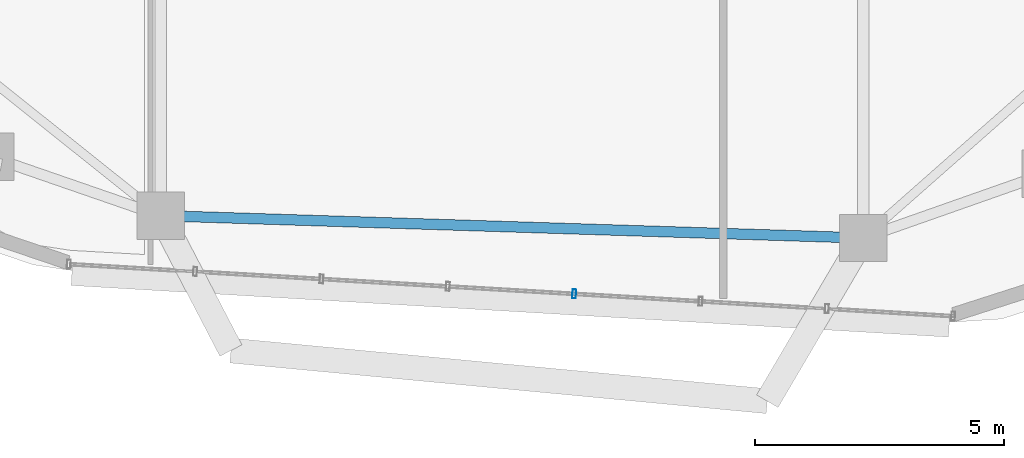
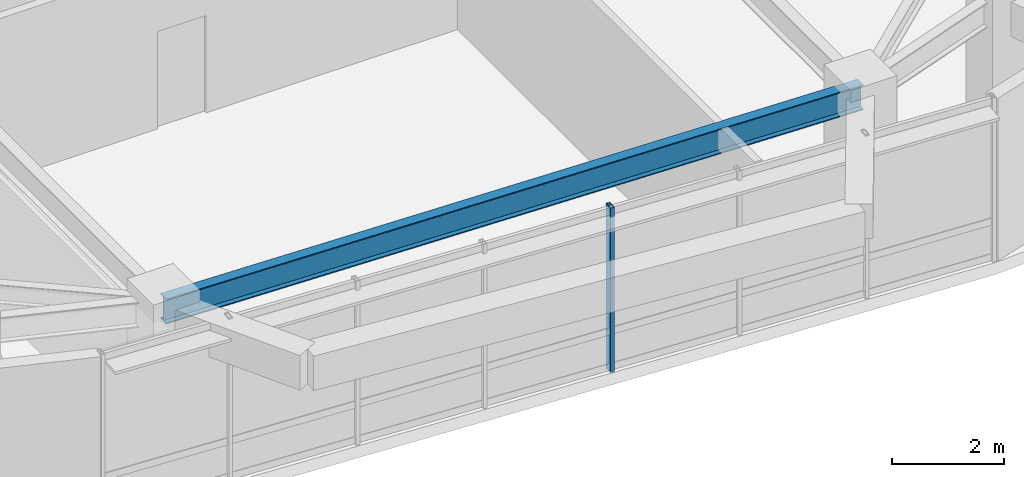
# One storey, part 4 of 14: 1 beam, 1 member, 1 element without a shape of its own.
"""IFC4 building model written with IfcOpenShell, lengths in metres."""

import ifcopenshell
import ifcopenshell.guid

model = None  # the IFC model being written
_history = None  # IfcOwnerHistory: only IFC2X3 demands one
_inside = {}  # id of a spatial element -> (the spatial element, [elements in it])
_under = {}  # id of a project, library or spatial element -> (it, [spatial elements below it])
_declared = {}  # id of a project -> (the project, [libraries it declares])
_typed = {}  # id of a type object -> (the type object, [elements of that type])
_made_of = {}  # id of a material, layer set ... -> (it, [elements and type objects made of it])


def new_model(schema):
    """Start an empty IFC model of exactly this schema.

    Asked for "IFC4X3", IfcOpenShell would pick the latest addendum, in which some entities
    have other attributes; the version numbers below select the first issue.
    IFC2X3 requires an IfcOwnerHistory on every rooted entity: one is made here for all.
    """
    global model, _history
    if schema == "IFC4X3":
        model = ifcopenshell.file(schema_version=(4, 3, 0, 0))
    else:
        model = ifcopenshell.file(schema=schema)
    _inside.clear()
    _under.clear()
    _declared.clear()
    _typed.clear()
    _made_of.clear()
    _history = None
    if model.schema == "IFC2X3":
        org = make("IfcOrganization", Name="unknown")
        user = make(
            "IfcPersonAndOrganization",
            ThePerson=make("IfcPerson", FamilyName="unknown"),
            TheOrganization=org,
        )
        app = make(
            "IfcApplication",
            ApplicationDeveloper=org,
            Version="unknown",
            ApplicationFullName="unknown",
            ApplicationIdentifier="unknown",
        )
        _history = make(
            "IfcOwnerHistory",
            OwningUser=user,
            OwningApplication=app,
            ChangeAction="ADDED",
            CreationDate=0,
        )
    return model


def make(cls, **values):
    """One entity of the class cls with the attributes given. An attribute that is None is left unset."""
    return model.create_entity(
        cls, **{name: value for name, value in values.items() if value is not None}
    )


def rooted(cls, **values):
    """An entity with a GlobalId (a new one), such as an element, a storey or a relation."""
    return make(cls, GlobalId=ifcopenshell.guid.new(), OwnerHistory=_history, **values)


def si_unit(unit_type, name, prefix=None):
    """IfcSIUnit, for example si_unit("LENGTHUNIT", "METRE", prefix="MILLI")."""
    return make("IfcSIUnit", UnitType=unit_type, Prefix=prefix, Name=name)


def assignment(units):
    """IfcUnitAssignment: the units of a project."""
    return None if units is None else make("IfcUnitAssignment", Units=units)


def point(xyz):
    """IfcCartesianPoint."""
    return None if xyz is None else make("IfcCartesianPoint", Coordinates=xyz)


def direction(xyz):
    """IfcDirection."""
    return None if xyz is None else make("IfcDirection", DirectionRatios=xyz)


def frame(location, z_axis=None, x_axis=None):
    """IfcAxis2Placement3D, a coordinate frame: its origin and axes. An axis left out is left unset."""
    return make(
        "IfcAxis2Placement3D",
        Location=point(location),
        Axis=direction(z_axis),
        RefDirection=direction(x_axis),
    )


def frame_2d(location, x_axis=None):
    """IfcAxis2Placement2D, a coordinate frame in the plane: its origin and x axis."""
    return make(
        "IfcAxis2Placement2D", Location=point(location), RefDirection=direction(x_axis)
    )


def origin():
    """The frame at (0, 0, 0) with its axes left unset."""
    return frame((0.0, 0.0, 0.0))


def origin_2d():
    """The frame at (0, 0) in the plane with its x axis left unset."""
    return frame_2d((0.0, 0.0))


def place(relative_to, where):
    """IfcLocalPlacement: puts the frame where relative to a parent placement (None: the world)."""
    return make(
        "IfcLocalPlacement", PlacementRelTo=relative_to, RelativePlacement=where
    )


def context(
    kind, dimensions, precision=None, world=None, true_north=None, identifier=None
):
    """IfcGeometricRepresentationContext, for example the 3D "Model" context."""
    return make(
        "IfcGeometricRepresentationContext",
        ContextIdentifier=identifier,
        ContextType=kind,
        CoordinateSpaceDimension=dimensions,
        Precision=precision,
        WorldCoordinateSystem=world,
        TrueNorth=true_north,
    )


def subcontext(parent, identifier, kind, view, scale=None):
    """IfcGeometricRepresentationSubContext, for example "Body" below "Model"."""
    return make(
        "IfcGeometricRepresentationSubContext",
        ContextIdentifier=identifier,
        ContextType=kind,
        ParentContext=parent,
        TargetScale=scale,
        TargetView=view,
    )


def project(units=None, contexts=None):
    """IfcProject with its units and contexts."""
    return rooted(
        "IfcProject",
        Name="project",
        RepresentationContexts=contexts,
        UnitsInContext=assignment(units),
    )


def spatial(cls, under=None, at=None, **own):
    """A site, building, storey or space (cls), placed at a placement, below another one or the project."""
    s = rooted(cls, ObjectPlacement=at, **own)
    if under is not None:
        _under.setdefault(under.id(), (under, []))[1].append(s)
    return s


def profile(cls, at=None, kind="AREA", **sizes):
    """A parametric profile (cls). Its sizes go by their IFC names, for example OverallWidth=200.0."""
    return make(cls, ProfileType=kind, Position=at, **sizes)


def hollow_rectangle(**sizes):
    """IfcRectangleHollowProfileDef."""
    return profile("IfcRectangleHollowProfileDef", **sizes)


def i_section(**sizes):
    """IfcIShapeProfileDef."""
    return profile("IfcIShapeProfileDef", **sizes)


def extrude(swept, where, along, depth):
    """IfcExtrudedAreaSolid: the profile swept, set in the frame where, extruded along a direction by depth."""
    return make(
        "IfcExtrudedAreaSolid",
        SweptArea=swept,
        Position=where,
        ExtrudedDirection=direction(along),
        Depth=depth,
    )


def shape(context_of_items, identifier, shape_type, items):
    """IfcShapeRepresentation: the items that make up one representation, for example the "Body"."""
    return make(
        "IfcShapeRepresentation",
        ContextOfItems=context_of_items,
        RepresentationIdentifier=identifier,
        RepresentationType=shape_type,
        Items=items,
    )


def material(Name=None, Category=None):
    """IfcMaterial."""
    return make("IfcMaterial", Name=Name, Category=Category)


def material_profile(
    of_material, cross_section, Name=None, Category=None, Priority=None
):
    """IfcMaterialProfile: a cross section and its material."""
    return make(
        "IfcMaterialProfile",
        Name=Name,
        Material=of_material,
        Profile=cross_section,
        Priority=Priority,
        Category=Category,
    )


def profile_set(profiles, Name=None, composite=None):
    """IfcMaterialProfileSet."""
    return make(
        "IfcMaterialProfileSet",
        Name=Name,
        MaterialProfiles=profiles,
        CompositeProfile=composite,
    )


def made_of(thing, what):
    """Note that an element or type object is made of a material, layer set ...; save() writes the relation."""
    if what is not None:
        _made_of.setdefault(what.id(), (what, []))[1].append(thing)
    return thing


def type_object(cls, material=None, **own):
    """A type object (cls), such as IfcWallType, which elements share."""
    return made_of(rooted(cls, **own), material)


def element(
    cls,
    number,
    at=None,
    inside=None,
    cuts=None,
    type_object=None,
    material=None,
    context=None,
    identifier="Body",
    shape_type=None,
    held_by="IfcProductDefinitionShape",
    body=None,
    shapes=None,
    **own,
):
    """One element of the class cls, such as IfcWall. Its Tag is "e" and its number.

    at: its placement. inside: the storey or other place that contains it. cuts: it is an
    opening in that element (IfcRelVoidsElement). A single representation is given by context,
    identifier, shape_type and body (its items); several are given by shapes. held_by: the class
    of the entity that holds the representations. save() writes the other relations.
    """
    e = rooted(cls, Tag="e%d" % number, ObjectPlacement=at, **own)
    if body is not None:
        shapes = [shape(context, identifier, shape_type, body)]
    if shapes is not None:
        e.Representation = make(held_by, Representations=shapes)
    if inside is not None:
        _inside.setdefault(inside.id(), (inside, []))[1].append(e)
    if cuts is not None:
        rooted(
            "IfcRelVoidsElement", RelatingBuildingElement=cuts, RelatedOpeningElement=e
        )
    if type_object is not None:
        _typed.setdefault(type_object.id(), (type_object, []))[1].append(e)
    return made_of(e, material)


def aggregate(whole, parts):
    """IfcRelAggregates: a whole, such as a stair, and the parts it consists of."""
    return rooted("IfcRelAggregates", RelatingObject=whole, RelatedObjects=parts)


def save(model, path):
    """Write the relations noted so far, then the file.

    IfcRelAggregates (storeys below a building ...), IfcRelContainedInSpatialStructure (elements
    in a storey), IfcRelDefinesByType, IfcRelAssociatesMaterial and IfcRelDeclares: one each for
    every whole, place, type object, material and project.
    """
    for whole, parts in _under.values():
        aggregate(whole, parts)
    for where, things in _inside.values():
        rooted(
            "IfcRelContainedInSpatialStructure",
            RelatedElements=things,
            RelatingStructure=where,
        )
    for kind, things in _typed.values():
        rooted("IfcRelDefinesByType", RelatedObjects=things, RelatingType=kind)
    for what, things in _made_of.values():
        rooted("IfcRelAssociatesMaterial", RelatedObjects=things, RelatingMaterial=what)
    for by, libraries in _declared.values():
        rooted("IfcRelDeclares", RelatingContext=by, RelatedDefinitions=libraries)
    model.write(path)


model = new_model("IFC4")

# Units and contexts
model_context = context("Model", 3, precision=1e-05, world=origin(), true_north=direction((0.0, 1.0)))
body_context = subcontext(model_context, "Body", "Model", "MODEL_VIEW")
ifc_project = project(units=[si_unit("LENGTHUNIT", "METRE"), si_unit("AREAUNIT", "SQUARE_METRE"), si_unit("VOLUMEUNIT", "CUBIC_METRE"), si_unit("PLANEANGLEUNIT", "RADIAN"), si_unit("MASSUNIT", "GRAM", prefix="KILO")], contexts=[model_context])

# Site, building, storey
site_placement = place(None, origin())
site = spatial("IfcSite", under=ifc_project, at=site_placement, CompositionType="ELEMENT")
building_placement = place(site_placement, origin())
building = spatial("IfcBuilding", under=site, at=building_placement, Name="Zulverin Broadcast Headquarters", CompositionType="ELEMENT")
storey_placement = place(building_placement, frame((0.0, 0.0, 208.60009765625)))
storey = spatial("IfcBuildingStorey", under=building, at=storey_placement, Name="L53", CompositionType="ELEMENT", Elevation=208.60009765625)

# Beam
ifc_material_1 = material(Name="Structural steel S355JR", Category="steel")
ifc_material_profile_1 = material_profile(ifc_material_1, i_section(OverallWidth=0.2119140625, OverallDepth=0.54443359375, WebThickness=0.0126953125, FlangeThickness=0.021240234375, at=origin_2d()), Name="Structural steel S355JR", Category="steel")
ifc_profile_set_1 = profile_set([ifc_material_profile_1], Name="Structural steel S355JR")
beam_type = type_object("IfcBeamType", Name="BM-UB-533", PredefinedType="SPANDREL", material=ifc_profile_set_1)
beam_placement = place(storey_placement, frame((30.80859375, 4.12744140625, 3.267578125), z_axis=(0.999497363437, -0.031702058031, 0.0), x_axis=(0.031702058031, 0.999497363437, 0.0)))
element("IfcBeam", 1, at=beam_placement, inside=storey, type_object=beam_type, Name="L53 Perimeter Spandrel Beam SP-01", PredefinedType="SPANDREL", context=body_context, shape_type="SweptSolid", body=[
    extrude(i_section(OverallWidth=0.2119140625, OverallDepth=0.54443359375, WebThickness=0.0126953125, FlangeThickness=0.021240234375, at=origin_2d()), origin(), (0.0, 0.0, 1.0), 14.1083984375),
])

# Curtain wall, member
ifc_material_2 = material(Name="Waist wind-pressure unitised curtain wall", Category="aluminium")
curtain_wall_type = type_object("IfcCurtainWallType", Name="CW-TWR-WST", PredefinedType="USERDEFINED", material=ifc_material_2)
curtain_wall_placement = place(storey_placement, origin())
curtain_wall = element("IfcCurtainWall", 2, at=curtain_wall_placement, inside=storey, type_object=curtain_wall_type, Name="L53 Unitised Curtain Wall CW-L53-E1", ObjectType="UNITISED CURTAIN WALL", PredefinedType="USERDEFINED")
ifc_material_3 = material(Name="Anodized pale-metal aluminium alloy 6063-T6", Category="aluminium")
ifc_material_profile_2 = material_profile(ifc_material_3, hollow_rectangle(XDim=0.074951171875, YDim=0.179931640625, WallThickness=0.0048828125, at=origin_2d()), Name="Anodized pale-metal aluminium alloy 6063-T6", Category="aluminium")
ifc_profile_set_2 = profile_set([ifc_material_profile_2], Name="Anodized pale-metal aluminium alloy 6063-T6")
member_type = type_object("IfcMemberType", Name="CW-MUL-180", PredefinedType="MULLION", material=ifc_profile_set_2)
member_placement = place(storey_placement, frame((39.108154296875, 2.558349609375, -0.030029296875), z_axis=(0.0, 0.0, 1.0), x_axis=(0.998274435348, -0.058720965002, 0.0)))
member = element("IfcMember", 3, at=member_placement, type_object=member_type, Name="CW-L53-E1 Mullion 04", PredefinedType="MULLION", context=body_context, shape_type="SweptSolid", body=[
    extrude(hollow_rectangle(XDim=0.074951171875, YDim=0.179931640625, WallThickness=0.0048828125, at=origin_2d()), origin(), (0.0, 0.0, 1.0), 3.599853515625),
])
aggregate(curtain_wall, [member])

save(model, "model.ifc")
